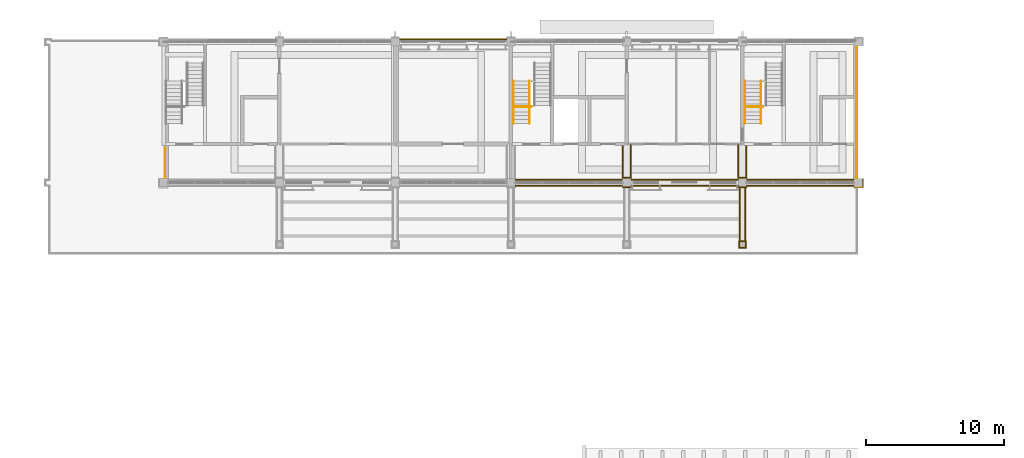
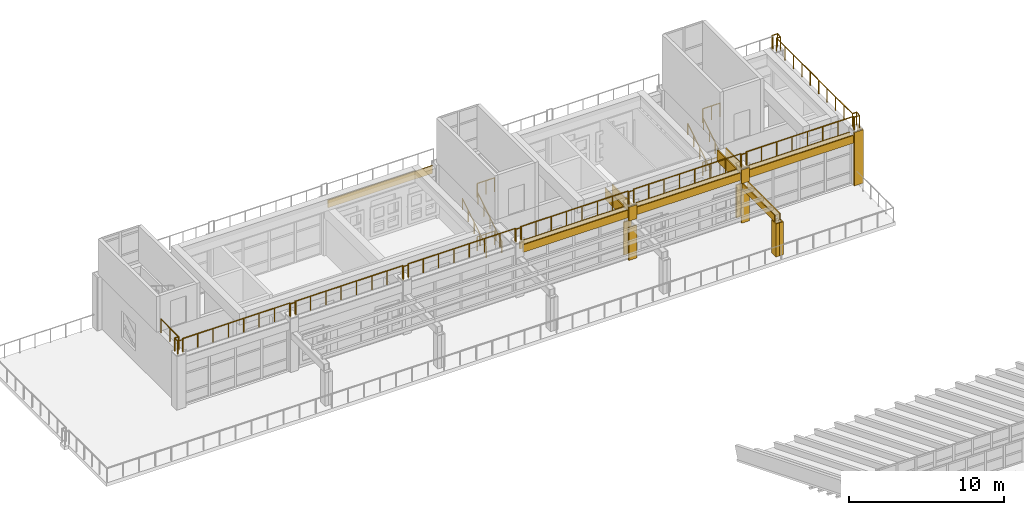
# One storey, part 98 of 105: 22 coverings, 9 railings.
"""IFC4 building model written with IfcOpenShell, lengths in metres."""

from ifc_helpers import new_model, si_unit, direction, frame, origin, origin_2d, place, context, subcontext, project, spatial, polyline, circle, outline, extrude, material, layer, layer_set, type_object, element, save


model = new_model("IFC4")

# Units and contexts
model_context = context("Model", 3, precision=1e-05, world=origin(), true_north=direction((0.0, 1.0)))
body_context = subcontext(model_context, "Body", "Model", "MODEL_VIEW")
ifc_project = project(units=[si_unit("LENGTHUNIT", "METRE"), si_unit("AREAUNIT", "SQUARE_METRE"), si_unit("VOLUMEUNIT", "CUBIC_METRE"), si_unit("PLANEANGLEUNIT", "RADIAN"), si_unit("MASSUNIT", "GRAM", prefix="KILO")], contexts=[model_context])

# Site, building, storey
site_placement = place(None, origin())
site = spatial("IfcSite", under=ifc_project, at=site_placement, CompositionType="ELEMENT")
building_placement = place(site_placement, origin())
building = spatial("IfcBuilding", under=site, at=building_placement, Name="Wasatch Bagh Community Centre", CompositionType="ELEMENT")
storey_placement = place(building_placement, frame((0.0, 0.0, 16.800048828125)))
storey = spatial("IfcBuildingStorey", under=building, at=storey_placement, Name="L04", CompositionType="ELEMENT", Elevation=16.800048828125)

# Coverings
ifc_material_1 = material(Name="Cast stone cladding", Category="masonry")
ifc_layer_1 = layer(ifc_material_1, 0.080078125)
ifc_layer_set_1 = layer_set([ifc_layer_1], Name="Cast stone cladding")
covering_type_1 = type_object("IfcCoveringType", Name="CL-B7 beam facing", PredefinedType="CLADDING", material=ifc_layer_set_1)
covering_1_placement = place(storey_placement, frame((0.0, 0.0, 3.300048828125)))
element("IfcCovering", 1, at=covering_1_placement, inside=storey, type_object=covering_type_1, Name="Beam facing", PredefinedType="CLADDING", context=body_context, shape_type="SweptSolid", body=[
    extrude(outline(polyline([(106.300048828125, 87.77490234375), (114.10009765625, 87.77490234375), (114.10009765625, 87.85498046875), (106.300048828125, 87.85498046875), (106.300048828125, 87.77490234375)])), origin(), (0.0, 0.0, 1.0), 0.599853515625),
])
covering_2_placement = place(storey_placement, frame((0.0, 0.0, 3.300048828125)))
element("IfcCovering", 2, at=covering_2_placement, inside=storey, type_object=covering_type_1, Name="Beam facing", PredefinedType="CLADDING", context=body_context, shape_type="SweptSolid", body=[
    extrude(outline(polyline([(106.300048828125, 87.425048828125), (114.10009765625, 87.425048828125), (114.10009765625, 87.344970703125), (106.300048828125, 87.344970703125), (106.300048828125, 87.425048828125)])), origin(), (0.0, 0.0, 1.0), 0.599853515625),
])
covering_3_placement = place(storey_placement, frame((0.0, 0.0, 3.300048828125)))
element("IfcCovering", 3, at=covering_3_placement, inside=storey, type_object=covering_type_1, Name="Beam facing", PredefinedType="CLADDING", context=body_context, shape_type="SweptSolid", body=[
    extrude(outline(polyline([(114.699951171875, 87.77490234375), (122.5, 87.77490234375), (122.5, 87.85498046875), (114.699951171875, 87.85498046875), (114.699951171875, 87.77490234375)])), origin(), (0.0, 0.0, 1.0), 0.599853515625),
])
covering_4_placement = place(storey_placement, frame((0.0, 0.0, 3.300048828125)))
element("IfcCovering", 4, at=covering_4_placement, inside=storey, type_object=covering_type_1, Name="Beam facing", PredefinedType="CLADDING", context=body_context, shape_type="SweptSolid", body=[
    extrude(outline(polyline([(114.699951171875, 87.425048828125), (122.5, 87.425048828125), (122.5, 87.344970703125), (114.699951171875, 87.344970703125), (114.699951171875, 87.425048828125)])), origin(), (0.0, 0.0, 1.0), 0.599853515625),
])
covering_5_placement = place(storey_placement, frame((0.0, 0.0, 3.300048828125)))
element("IfcCovering", 5, at=covering_5_placement, inside=storey, type_object=covering_type_1, Name="Beam facing", PredefinedType="CLADDING", context=body_context, shape_type="SweptSolid", body=[
    extrude(outline(polyline([(123.10009765625, 87.77490234375), (130.89990234375, 87.77490234375), (130.89990234375, 87.85498046875), (123.10009765625, 87.85498046875), (123.10009765625, 87.77490234375)])), origin(), (0.0, 0.0, 1.0), 0.599853515625),
])
covering_6_placement = place(storey_placement, frame((0.0, 0.0, 3.300048828125)))
element("IfcCovering", 6, at=covering_6_placement, inside=storey, type_object=covering_type_1, Name="Beam facing", PredefinedType="CLADDING", context=body_context, shape_type="SweptSolid", body=[
    extrude(outline(polyline([(123.10009765625, 87.425048828125), (130.89990234375, 87.425048828125), (130.89990234375, 87.344970703125), (123.10009765625, 87.344970703125), (123.10009765625, 87.425048828125)])), origin(), (0.0, 0.0, 1.0), 0.599853515625),
])
covering_7_placement = place(storey_placement, frame((0.0, 0.0, 3.300048828125)))
element("IfcCovering", 7, at=covering_7_placement, inside=storey, type_object=covering_type_1, Name="Beam facing", PredefinedType="CLADDING", context=body_context, shape_type="SweptSolid", body=[
    extrude(outline(polyline([(97.89990234375, 97.97509765625), (105.699951171875, 97.97509765625), (105.699951171875, 98.054931640625), (97.89990234375, 98.054931640625), (97.89990234375, 97.97509765625)])), origin(), (0.0, 0.0, 1.0), 0.599853515625),
])
covering_8_placement = place(storey_placement, frame((0.0, 0.0, 3.0)))
element("IfcCovering", 8, at=covering_8_placement, inside=storey, type_object=covering_type_1, Name="Beam facing", PredefinedType="CLADDING", context=body_context, shape_type="SweptSolid", body=[
    extrude(outline(polyline([(114.14990234375, 87.89990234375), (114.14990234375, 90.264892578125), (114.070068359375, 90.264892578125), (114.070068359375, 87.89990234375), (114.14990234375, 87.89990234375)])), origin(), (0.0, 0.0, 1.0), 0.89990234375),
])
covering_9_placement = place(storey_placement, frame((0.0, 0.0, 3.0)))
element("IfcCovering", 9, at=covering_9_placement, inside=storey, type_object=covering_type_1, Name="Beam facing", PredefinedType="CLADDING", context=body_context, shape_type="SweptSolid", body=[
    extrude(outline(polyline([(114.64990234375, 87.89990234375), (114.64990234375, 90.340087890625), (114.72998046875, 90.340087890625), (114.72998046875, 87.89990234375), (114.64990234375, 87.89990234375)])), origin(), (0.0, 0.0, 1.0), 0.89990234375),
])
covering_10_placement = place(storey_placement, frame((0.0, 0.0, 3.0)))
element("IfcCovering", 10, at=covering_10_placement, inside=storey, type_object=covering_type_1, Name="Beam facing", PredefinedType="CLADDING", context=body_context, shape_type="SweptSolid", body=[
    extrude(outline(polyline([(122.550048828125, 87.89990234375), (122.550048828125, 90.340087890625), (122.469970703125, 90.340087890625), (122.469970703125, 87.89990234375), (122.550048828125, 87.89990234375)])), origin(), (0.0, 0.0, 1.0), 0.89990234375),
])
covering_11_placement = place(storey_placement, frame((0.0, 0.0, 3.0)))
element("IfcCovering", 11, at=covering_11_placement, inside=storey, type_object=covering_type_1, Name="Beam facing", PredefinedType="CLADDING", context=body_context, shape_type="SweptSolid", body=[
    extrude(outline(polyline([(123.050048828125, 87.89990234375), (123.050048828125, 90.264892578125), (123.1298828125, 90.264892578125), (123.1298828125, 87.89990234375), (123.050048828125, 87.89990234375)])), origin(), (0.0, 0.0, 1.0), 0.89990234375),
])
covering_12_placement = place(storey_placement, frame((0.0, 0.0, 2.599853515625)))
element("IfcCovering", 12, at=covering_12_placement, inside=storey, type_object=covering_type_1, Name="Beam facing", PredefinedType="CLADDING", context=body_context, shape_type="SweptSolid", body=[
    extrude(outline(polyline([(122.949951171875, 87.300048828125), (122.949951171875, 83.10009765625), (123.030029296875, 83.10009765625), (123.030029296875, 87.300048828125), (122.949951171875, 87.300048828125)])), origin(), (0.0, 0.0, 1.0), 0.5),
])
covering_13_placement = place(storey_placement, frame((0.0, 0.0, 2.599853515625)))
element("IfcCovering", 13, at=covering_13_placement, inside=storey, type_object=covering_type_1, Name="Beam facing", PredefinedType="CLADDING", context=body_context, shape_type="SweptSolid", body=[
    extrude(outline(polyline([(122.64990234375, 87.300048828125), (122.64990234375, 83.10009765625), (122.570068359375, 83.10009765625), (122.570068359375, 87.300048828125), (122.64990234375, 87.300048828125)])), origin(), (0.0, 0.0, 1.0), 0.5),
])
ifc_layer_2 = layer(ifc_material_1, 0.080078125)
ifc_layer_set_2 = layer_set([ifc_layer_2], Name="Cast stone cladding")
covering_type_2 = type_object("IfcCoveringType", Name="CL-C1 column facing", PredefinedType="CLADDING", material=ifc_layer_set_2)
covering_14_placement = place(storey_placement, origin())
element("IfcCovering", 14, at=covering_14_placement, inside=storey, type_object=covering_type_2, Name="Column facing", PredefinedType="CLADDING", context=body_context, shape_type="SweptSolid", body=[
    extrude(outline(polyline([(114.10009765625, 87.89990234375), (114.10009765625, 87.97998046875), (114.699951171875, 87.97998046875), (114.699951171875, 87.89990234375), (114.10009765625, 87.89990234375)])), origin(), (0.0, 0.0, 1.0), 2.599853515625),
])
covering_15_placement = place(storey_placement, origin())
element("IfcCovering", 15, at=covering_15_placement, inside=storey, type_object=covering_type_2, Name="Column facing", PredefinedType="CLADDING", context=body_context, shape_type="SweptSolid", body=[
    extrude(outline(polyline([(114.699951171875, 87.300048828125), (114.699951171875, 87.219970703125), (114.10009765625, 87.219970703125), (114.10009765625, 87.300048828125), (114.699951171875, 87.300048828125)])), origin(), (0.0, 0.0, 1.0), 2.599853515625),
])
covering_16_placement = place(storey_placement, frame((0.0, 0.0, 3.099853515625)))
element("IfcCovering", 16, at=covering_16_placement, inside=storey, type_object=covering_type_2, Name="Column facing", PredefinedType="CLADDING", context=body_context, shape_type="SweptSolid", body=[
    extrude(outline(polyline([(114.10009765625, 87.300048828125), (114.699951171875, 87.300048828125), (114.699951171875, 87.219970703125), (114.10009765625, 87.219970703125), (114.10009765625, 87.300048828125)])), origin(), (0.0, 0.0, 1.0), 1.10009765625),
])
covering_17_placement = place(storey_placement, origin())
element("IfcCovering", 17, at=covering_17_placement, inside=storey, type_object=covering_type_2, Name="Column facing", PredefinedType="CLADDING", context=body_context, shape_type="SweptSolid", body=[
    extrude(outline(polyline([(122.5, 87.89990234375), (122.5, 87.97998046875), (123.10009765625, 87.97998046875), (123.10009765625, 87.89990234375), (122.5, 87.89990234375)])), origin(), (0.0, 0.0, 1.0), 2.599853515625),
])
covering_18_placement = place(storey_placement, origin())
element("IfcCovering", 18, at=covering_18_placement, inside=storey, type_object=covering_type_2, Name="Column facing", PredefinedType="CLADDING", context=body_context, shape_type="SweptSolid", body=[
    extrude(outline(polyline([(123.10009765625, 87.300048828125), (123.10009765625, 87.219970703125), (122.5, 87.219970703125), (122.5, 87.300048828125), (123.10009765625, 87.300048828125)])), origin(), (0.0, 0.0, 1.0), 2.599853515625),
])
covering_19_placement = place(storey_placement, frame((0.0, 0.0, 3.099853515625)))
element("IfcCovering", 19, at=covering_19_placement, inside=storey, type_object=covering_type_2, Name="Column facing", PredefinedType="CLADDING", context=body_context, shape_type="SweptSolid", body=[
    extrude(outline(polyline([(122.5, 87.300048828125), (123.10009765625, 87.300048828125), (123.10009765625, 87.219970703125), (122.5, 87.219970703125), (122.5, 87.300048828125)])), origin(), (0.0, 0.0, 1.0), 1.10009765625),
])
covering_20_placement = place(storey_placement, origin())
element("IfcCovering", 20, at=covering_20_placement, inside=storey, type_object=covering_type_2, Name="Column facing", PredefinedType="CLADDING", context=body_context, shape_type="SweptSolid", body=[
    extrude(outline(polyline([(131.5, 87.300048828125), (131.5, 87.89990234375), (131.580078125, 87.89990234375), (131.580078125, 87.219970703125), (130.89990234375, 87.219970703125), (130.89990234375, 87.300048828125), (131.5, 87.300048828125)])), origin(), (0.0, 0.0, 1.0), 4.199951171875),
])
covering_21_placement = place(storey_placement, origin())
element("IfcCovering", 21, at=covering_21_placement, inside=storey, type_object=covering_type_2, Name="Column facing", PredefinedType="CLADDING", context=body_context, shape_type="SweptSolid", body=[
    extrude(outline(polyline([(122.52001953125, 83.300048828125), (122.52001953125, 83.3798828125), (122.800048828125, 83.3798828125), (122.800048828125, 83.300048828125), (122.60009765625, 83.300048828125), (122.60009765625, 82.89990234375), (122.800048828125, 82.89990234375), (122.800048828125, 82.820068359375), (122.52001953125, 82.820068359375), (122.52001953125, 82.89990234375), (122.52001953125, 83.300048828125)])), origin(), (0.0, 0.0, 1.0), 2.599853515625),
])
covering_22_placement = place(storey_placement, origin())
element("IfcCovering", 22, at=covering_22_placement, inside=storey, type_object=covering_type_2, Name="Column facing", PredefinedType="CLADDING", context=body_context, shape_type="SweptSolid", body=[
    extrude(outline(polyline([(123.080078125, 83.3798828125), (123.080078125, 82.820068359375), (122.800048828125, 82.820068359375), (122.800048828125, 82.89990234375), (123.0, 82.89990234375), (123.0, 83.300048828125), (122.800048828125, 83.300048828125), (122.800048828125, 83.3798828125), (123.080078125, 83.3798828125)])), origin(), (0.0, 0.0, 1.0), 2.599853515625),
])

# Railings
ifc_material_2 = material(Name="Painted steel with jali infill", Category="steel")
railing_type_1 = type_object("IfcRailingType", Name="LW guard 1100", PredefinedType="GUARDRAIL", material=ifc_material_2)
railing_placement = place(storey_placement, frame((131.0, 97.89990234375, 4.199951171875)))
element("IfcRailing", 23, at=railing_placement, inside=storey, type_object=railing_type_1, Name="Terrace guard T5", PredefinedType="GUARDRAIL", context=body_context, shape_type="SweptSolid", body=[
    extrude(circle(Radius=0.02490234375, at=origin_2d()), frame((0.0, 0.0, 1.0751953125), z_axis=(0.0, 1.0, 0.0), x_axis=(-1.0, 0.0, 0.0)), (0.0, 0.0, 1.0), 0.10009765625),
    extrude(circle(Radius=0.02490234375, at=origin_2d()), frame((0.0, 0.10009765625, 1.0751953125), z_axis=(1.0, 0.0, 0.0), x_axis=(0.0, 1.0, 0.0)), (0.0, 0.0, 1.0), 0.39990234375),
    extrude(circle(Radius=0.02490234375, at=origin_2d()), frame((0.39990234375, 0.10009765625, 1.0751953125), z_axis=(0.0, -1.0, 0.0), x_axis=(1.0, 0.0, 0.0)), (0.0, 0.0, 1.0), 0.39990234375),
    extrude(circle(Radius=0.02490234375, at=origin_2d()), frame((0.39990234375, -0.2998046875, 1.0751953125), z_axis=(-1.0, 0.0, 0.0), x_axis=(0.0, -1.0, 0.0)), (0.0, 0.0, 1.0), 0.2998046875),
    extrude(circle(Radius=0.02490234375, at=origin_2d()), frame((0.10009765625, -0.2998046875, 1.0751953125), z_axis=(0.0, -1.0, 0.0), x_axis=(1.0, 0.0, 0.0)), (0.0, 0.0, 1.0), 9.800048828125),
    extrude(circle(Radius=0.02490234375, at=origin_2d()), frame((0.10009765625, -10.099853515625, 1.0751953125), z_axis=(1.0, 0.0, 0.0), x_axis=(0.0, 1.0, 0.0)), (0.0, 0.0, 1.0), 0.2998046875),
    extrude(circle(Radius=0.02490234375, at=origin_2d()), frame((0.39990234375, -10.099853515625, 1.0751953125), z_axis=(0.0, -1.0, 0.0), x_axis=(1.0, 0.0, 0.0)), (0.0, 0.0, 1.0), 0.400146484375),
    extrude(circle(Radius=0.02490234375, at=origin_2d()), frame((0.39990234375, -10.5, 1.0751953125), z_axis=(-1.0, 0.0, 0.0), x_axis=(0.0, -1.0, 0.0)), (0.0, 0.0, 1.0), 0.39990234375),
    extrude(circle(Radius=0.02490234375, at=origin_2d()), frame((0.0, -10.5, 1.0751953125), z_axis=(0.0, 1.0, 0.0), x_axis=(-1.0, 0.0, 0.0)), (0.0, 0.0, 1.0), 0.10009765625),
    extrude(circle(Radius=0.02490234375, at=origin_2d()), frame((0.0, -10.39990234375, 1.0751953125), z_axis=(-1.0, 0.0, 0.0), x_axis=(0.0, -1.0, 0.0)), (0.0, 0.0, 1.0), 8.0),
    extrude(circle(Radius=0.02490234375, at=origin_2d()), frame((-8.0, -10.39990234375, 1.0751953125), z_axis=(0.0, -1.0, 0.0), x_axis=(1.0, 0.0, 0.0)), (0.0, 0.0, 1.0), 0.10009765625),
    extrude(circle(Radius=0.02490234375, at=origin_2d()), frame((-8.0, -10.5, 1.0751953125), z_axis=(-1.0, 0.0, 0.0), x_axis=(0.0, -1.0, 0.0)), (0.0, 0.0, 1.0), 0.39990234375),
    extrude(circle(Radius=0.02490234375, at=origin_2d()), frame((-8.39990234375, -10.5, 1.0751953125), z_axis=(0.0, 1.0, 0.0), x_axis=(-1.0, 0.0, 0.0)), (0.0, 0.0, 1.0), 0.10009765625),
    extrude(circle(Radius=0.02490234375, at=origin_2d()), frame((-8.39990234375, -10.39990234375, 1.0751953125), z_axis=(-1.0, 0.0, 0.0), x_axis=(0.0, -1.0, 0.0)), (0.0, 0.0, 1.0), 8.0),
    extrude(circle(Radius=0.02490234375, at=origin_2d()), frame((-16.39990234375, -10.39990234375, 1.0751953125), z_axis=(0.0, -1.0, 0.0), x_axis=(1.0, 0.0, 0.0)), (0.0, 0.0, 1.0), 0.10009765625),
    extrude(circle(Radius=0.02490234375, at=origin_2d()), frame((-16.39990234375, -10.5, 1.0751953125), z_axis=(-1.0, 0.0, 0.0), x_axis=(0.0, -1.0, 0.0)), (0.0, 0.0, 1.0), 0.400146484375),
    extrude(circle(Radius=0.02490234375, at=origin_2d()), frame((-16.800048828125, -10.5, 1.0751953125), z_axis=(0.0, 1.0, 0.0), x_axis=(-1.0, 0.0, 0.0)), (0.0, 0.0, 1.0), 0.10009765625),
    extrude(circle(Radius=0.02490234375, at=origin_2d()), frame((-16.800048828125, -10.39990234375, 1.0751953125), z_axis=(-1.0, 0.0, 0.0), x_axis=(0.0, -1.0, 0.0)), (0.0, 0.0, 1.0), 8.0),
    extrude(circle(Radius=0.02490234375, at=origin_2d()), frame((-24.800048828125, -10.39990234375, 1.0751953125), z_axis=(0.0, -1.0, 0.0), x_axis=(1.0, 0.0, 0.0)), (0.0, 0.0, 1.0), 0.10009765625),
    extrude(circle(Radius=0.02490234375, at=origin_2d()), frame((-24.800048828125, -10.5, 1.0751953125), z_axis=(-1.0, 0.0, 0.0), x_axis=(0.0, -1.0, 0.0)), (0.0, 0.0, 1.0), 0.39990234375),
    extrude(circle(Radius=0.02490234375, at=origin_2d()), frame((-25.199951171875, -10.5, 1.0751953125), z_axis=(0.0, 1.0, 0.0), x_axis=(-1.0, 0.0, 0.0)), (0.0, 0.0, 1.0), 0.10009765625),
    extrude(circle(Radius=0.02490234375, at=origin_2d()), frame((-25.199951171875, -10.39990234375, 1.0751953125), z_axis=(-1.0, 0.0, 0.0), x_axis=(0.0, -1.0, 0.0)), (0.0, 0.0, 1.0), 8.0),
    extrude(circle(Radius=0.02490234375, at=origin_2d()), frame((-33.199951171875, -10.39990234375, 1.0751953125), z_axis=(0.0, -1.0, 0.0), x_axis=(1.0, 0.0, 0.0)), (0.0, 0.0, 1.0), 0.10009765625),
    extrude(circle(Radius=0.02490234375, at=origin_2d()), frame((-33.199951171875, -10.5, 1.0751953125), z_axis=(-1.0, 0.0, 0.0), x_axis=(0.0, -1.0, 0.0)), (0.0, 0.0, 1.0), 0.400146484375),
    extrude(circle(Radius=0.02490234375, at=origin_2d()), frame((-33.60009765625, -10.5, 1.0751953125), z_axis=(0.0, 1.0, 0.0), x_axis=(-1.0, 0.0, 0.0)), (0.0, 0.0, 1.0), 0.10009765625),
    extrude(circle(Radius=0.02490234375, at=origin_2d()), frame((-33.60009765625, -10.39990234375, 1.0751953125), z_axis=(-1.0, 0.0, 0.0), x_axis=(0.0, -1.0, 0.0)), (0.0, 0.0, 1.0), 8.0),
    extrude(circle(Radius=0.02490234375, at=origin_2d()), frame((-41.60009765625, -10.39990234375, 1.0751953125), z_axis=(0.0, -1.0, 0.0), x_axis=(1.0, 0.0, 0.0)), (0.0, 0.0, 1.0), 0.10009765625),
    extrude(circle(Radius=0.02490234375, at=origin_2d()), frame((-41.60009765625, -10.5, 1.0751953125), z_axis=(-1.0, 0.0, 0.0), x_axis=(0.0, -1.0, 0.0)), (0.0, 0.0, 1.0), 0.39990234375),
    extrude(circle(Radius=0.02490234375, at=origin_2d()), frame((-42.0, -10.5, 1.0751953125), z_axis=(0.0, 1.0, 0.0), x_axis=(-1.0, 0.0, 0.0)), (0.0, 0.0, 1.0), 0.10009765625),
    extrude(circle(Radius=0.02490234375, at=origin_2d()), frame((-42.0, -10.39990234375, 1.0751953125), z_axis=(-1.0, 0.0, 0.0), x_axis=(0.0, -1.0, 0.0)), (0.0, 0.0, 1.0), 8.0),
    extrude(circle(Radius=0.02490234375, at=origin_2d()), frame((-50.0, -10.39990234375, 1.0751953125), z_axis=(0.0, -1.0, 0.0), x_axis=(1.0, 0.0, 0.0)), (0.0, 0.0, 1.0), 0.10009765625),
    extrude(circle(Radius=0.02490234375, at=origin_2d()), frame((-50.0, -10.5, 1.0751953125), z_axis=(-1.0, 0.0, 0.0), x_axis=(0.0, -1.0, 0.0)), (0.0, 0.0, 1.0), 0.39990234375),
    extrude(circle(Radius=0.02490234375, at=origin_2d()), frame((-50.39990234375, -10.5, 1.0751953125), z_axis=(0.0, 1.0, 0.0), x_axis=(-1.0, 0.0, 0.0)), (0.0, 0.0, 1.0), 0.400146484375),
    extrude(circle(Radius=0.02490234375, at=origin_2d()), frame((-50.39990234375, -10.099853515625, 1.0751953125), z_axis=(1.0, 0.0, 0.0), x_axis=(0.0, 1.0, 0.0)), (0.0, 0.0, 1.0), 0.2998046875),
    extrude(circle(Radius=0.02490234375, at=origin_2d()), frame((-50.10009765625, -10.099853515625, 1.0751953125), z_axis=(0.0, 1.0, 0.0), x_axis=(-1.0, 0.0, 0.0)), (0.0, 0.0, 1.0), 2.300048828125),
    extrude(circle(Radius=0.02001953125, at=origin_2d()), origin(), (0.0, 0.0, 1.0), 1.050048828125),
    extrude(circle(Radius=0.02001953125, at=origin_2d()), frame((0.0, 0.10009765625, 0.0)), (0.0, 0.0, 1.0), 1.050048828125),
    extrude(circle(Radius=0.02001953125, at=origin_2d()), frame((0.39990234375, 0.10009765625, 0.0)), (0.0, 0.0, 1.0), 1.050048828125),
    extrude(circle(Radius=0.02001953125, at=origin_2d()), frame((0.39990234375, -0.2998046875, 0.0)), (0.0, 0.0, 1.0), 1.050048828125),
    extrude(circle(Radius=0.02001953125, at=origin_2d()), frame((0.10009765625, -0.2998046875, 0.0)), (0.0, 0.0, 1.0), 1.050048828125),
    extrude(circle(Radius=0.02001953125, at=origin_2d()), frame((0.10009765625, -1.388671875, 0.0)), (0.0, 0.0, 1.0), 1.050048828125),
    extrude(circle(Radius=0.02001953125, at=origin_2d()), frame((0.10009765625, -2.4775390625, 0.0)), (0.0, 0.0, 1.0), 1.050048828125),
    extrude(circle(Radius=0.02001953125, at=origin_2d()), frame((0.10009765625, -3.56640625, 0.0)), (0.0, 0.0, 1.0), 1.050048828125),
    extrude(circle(Radius=0.02001953125, at=origin_2d()), frame((0.10009765625, -4.6552734375, 0.0)), (0.0, 0.0, 1.0), 1.050048828125),
    extrude(circle(Radius=0.02001953125, at=origin_2d()), frame((0.10009765625, -5.744384765625, 0.0)), (0.0, 0.0, 1.0), 1.050048828125),
    extrude(circle(Radius=0.02001953125, at=origin_2d()), frame((0.10009765625, -6.833251953125, 0.0)), (0.0, 0.0, 1.0), 1.050048828125),
    extrude(circle(Radius=0.02001953125, at=origin_2d()), frame((0.10009765625, -7.922119140625, 0.0)), (0.0, 0.0, 1.0), 1.050048828125),
    extrude(circle(Radius=0.02001953125, at=origin_2d()), frame((0.10009765625, -9.010986328125, 0.0)), (0.0, 0.0, 1.0), 1.050048828125),
    extrude(circle(Radius=0.02001953125, at=origin_2d()), frame((0.10009765625, -10.099853515625, 0.0)), (0.0, 0.0, 1.0), 1.050048828125),
    extrude(circle(Radius=0.02001953125, at=origin_2d()), frame((0.39990234375, -10.099853515625, 0.0)), (0.0, 0.0, 1.0), 1.050048828125),
    extrude(circle(Radius=0.02001953125, at=origin_2d()), frame((0.39990234375, -10.5, 0.0)), (0.0, 0.0, 1.0), 1.050048828125),
    extrude(circle(Radius=0.02001953125, at=origin_2d()), frame((0.0, -10.5, 0.0)), (0.0, 0.0, 1.0), 1.050048828125),
    extrude(circle(Radius=0.02001953125, at=origin_2d()), frame((0.0, -10.39990234375, 0.0)), (0.0, 0.0, 1.0), 1.050048828125),
    extrude(circle(Radius=0.02001953125, at=origin_2d()), frame((-1.142822265625, -10.39990234375, 0.0)), (0.0, 0.0, 1.0), 1.050048828125),
    extrude(circle(Radius=0.02001953125, at=origin_2d()), frame((-2.28564453125, -10.39990234375, 0.0)), (0.0, 0.0, 1.0), 1.050048828125),
    extrude(circle(Radius=0.02001953125, at=origin_2d()), frame((-3.428466796875, -10.39990234375, 0.0)), (0.0, 0.0, 1.0), 1.050048828125),
    extrude(circle(Radius=0.02001953125, at=origin_2d()), frame((-4.571533203125, -10.39990234375, 0.0)), (0.0, 0.0, 1.0), 1.050048828125),
    extrude(circle(Radius=0.02001953125, at=origin_2d()), frame((-5.71435546875, -10.39990234375, 0.0)), (0.0, 0.0, 1.0), 1.050048828125),
    extrude(circle(Radius=0.02001953125, at=origin_2d()), frame((-6.857177734375, -10.39990234375, 0.0)), (0.0, 0.0, 1.0), 1.050048828125),
    extrude(circle(Radius=0.02001953125, at=origin_2d()), frame((-8.0, -10.39990234375, 0.0)), (0.0, 0.0, 1.0), 1.050048828125),
    extrude(circle(Radius=0.02001953125, at=origin_2d()), frame((-8.0, -10.5, 0.0)), (0.0, 0.0, 1.0), 1.050048828125),
    extrude(circle(Radius=0.02001953125, at=origin_2d()), frame((-8.39990234375, -10.5, 0.0)), (0.0, 0.0, 1.0), 1.050048828125),
    extrude(circle(Radius=0.02001953125, at=origin_2d()), frame((-8.39990234375, -10.39990234375, 0.0)), (0.0, 0.0, 1.0), 1.050048828125),
    extrude(circle(Radius=0.02001953125, at=origin_2d()), frame((-9.542724609375, -10.39990234375, 0.0)), (0.0, 0.0, 1.0), 1.050048828125),
    extrude(circle(Radius=0.02001953125, at=origin_2d()), frame((-10.685546875, -10.39990234375, 0.0)), (0.0, 0.0, 1.0), 1.050048828125),
    extrude(circle(Radius=0.02001953125, at=origin_2d()), frame((-11.828369140625, -10.39990234375, 0.0)), (0.0, 0.0, 1.0), 1.050048828125),
    extrude(circle(Radius=0.02001953125, at=origin_2d()), frame((-12.971435546875, -10.39990234375, 0.0)), (0.0, 0.0, 1.0), 1.050048828125),
    extrude(circle(Radius=0.02001953125, at=origin_2d()), frame((-14.1142578125, -10.39990234375, 0.0)), (0.0, 0.0, 1.0), 1.050048828125),
    extrude(circle(Radius=0.02001953125, at=origin_2d()), frame((-15.257080078125, -10.39990234375, 0.0)), (0.0, 0.0, 1.0), 1.050048828125),
    extrude(circle(Radius=0.02001953125, at=origin_2d()), frame((-16.39990234375, -10.39990234375, 0.0)), (0.0, 0.0, 1.0), 1.050048828125),
    extrude(circle(Radius=0.02001953125, at=origin_2d()), frame((-16.39990234375, -10.5, 0.0)), (0.0, 0.0, 1.0), 1.050048828125),
    extrude(circle(Radius=0.02001953125, at=origin_2d()), frame((-16.800048828125, -10.5, 0.0)), (0.0, 0.0, 1.0), 1.050048828125),
    extrude(circle(Radius=0.02001953125, at=origin_2d()), frame((-16.800048828125, -10.39990234375, 0.0)), (0.0, 0.0, 1.0), 1.050048828125),
    extrude(circle(Radius=0.02001953125, at=origin_2d()), frame((-17.94287109375, -10.39990234375, 0.0)), (0.0, 0.0, 1.0), 1.050048828125),
    extrude(circle(Radius=0.02001953125, at=origin_2d()), frame((-19.085693359375, -10.39990234375, 0.0)), (0.0, 0.0, 1.0), 1.050048828125),
    extrude(circle(Radius=0.02001953125, at=origin_2d()), frame((-20.228515625, -10.39990234375, 0.0)), (0.0, 0.0, 1.0), 1.050048828125),
    extrude(circle(Radius=0.02001953125, at=origin_2d()), frame((-21.37158203125, -10.39990234375, 0.0)), (0.0, 0.0, 1.0), 1.050048828125),
    extrude(circle(Radius=0.02001953125, at=origin_2d()), frame((-22.514404296875, -10.39990234375, 0.0)), (0.0, 0.0, 1.0), 1.050048828125),
    extrude(circle(Radius=0.02001953125, at=origin_2d()), frame((-23.6572265625, -10.39990234375, 0.0)), (0.0, 0.0, 1.0), 1.050048828125),
    extrude(circle(Radius=0.02001953125, at=origin_2d()), frame((-24.800048828125, -10.39990234375, 0.0)), (0.0, 0.0, 1.0), 1.050048828125),
    extrude(circle(Radius=0.02001953125, at=origin_2d()), frame((-24.800048828125, -10.5, 0.0)), (0.0, 0.0, 1.0), 1.050048828125),
    extrude(circle(Radius=0.02001953125, at=origin_2d()), frame((-25.199951171875, -10.5, 0.0)), (0.0, 0.0, 1.0), 1.050048828125),
    extrude(circle(Radius=0.02001953125, at=origin_2d()), frame((-25.199951171875, -10.39990234375, 0.0)), (0.0, 0.0, 1.0), 1.050048828125),
    extrude(circle(Radius=0.02001953125, at=origin_2d()), frame((-26.3427734375, -10.39990234375, 0.0)), (0.0, 0.0, 1.0), 1.050048828125),
    extrude(circle(Radius=0.02001953125, at=origin_2d()), frame((-27.485595703125, -10.39990234375, 0.0)), (0.0, 0.0, 1.0), 1.050048828125),
    extrude(circle(Radius=0.02001953125, at=origin_2d()), frame((-28.62841796875, -10.39990234375, 0.0)), (0.0, 0.0, 1.0), 1.050048828125),
    extrude(circle(Radius=0.02001953125, at=origin_2d()), frame((-29.771484375, -10.39990234375, 0.0)), (0.0, 0.0, 1.0), 1.050048828125),
    extrude(circle(Radius=0.02001953125, at=origin_2d()), frame((-30.914306640625, -10.39990234375, 0.0)), (0.0, 0.0, 1.0), 1.050048828125),
    extrude(circle(Radius=0.02001953125, at=origin_2d()), frame((-32.05712890625, -10.39990234375, 0.0)), (0.0, 0.0, 1.0), 1.050048828125),
    extrude(circle(Radius=0.02001953125, at=origin_2d()), frame((-33.199951171875, -10.39990234375, 0.0)), (0.0, 0.0, 1.0), 1.050048828125),
    extrude(circle(Radius=0.02001953125, at=origin_2d()), frame((-33.199951171875, -10.5, 0.0)), (0.0, 0.0, 1.0), 1.050048828125),
    extrude(circle(Radius=0.02001953125, at=origin_2d()), frame((-33.60009765625, -10.5, 0.0)), (0.0, 0.0, 1.0), 1.050048828125),
    extrude(circle(Radius=0.02001953125, at=origin_2d()), frame((-33.60009765625, -10.39990234375, 0.0)), (0.0, 0.0, 1.0), 1.050048828125),
    extrude(circle(Radius=0.02001953125, at=origin_2d()), frame((-34.742919921875, -10.39990234375, 0.0)), (0.0, 0.0, 1.0), 1.050048828125),
    extrude(circle(Radius=0.02001953125, at=origin_2d()), frame((-35.8857421875, -10.39990234375, 0.0)), (0.0, 0.0, 1.0), 1.050048828125),
    extrude(circle(Radius=0.02001953125, at=origin_2d()), frame((-37.028564453125, -10.39990234375, 0.0)), (0.0, 0.0, 1.0), 1.050048828125),
    extrude(circle(Radius=0.02001953125, at=origin_2d()), frame((-38.171630859375, -10.39990234375, 0.0)), (0.0, 0.0, 1.0), 1.050048828125),
    extrude(circle(Radius=0.02001953125, at=origin_2d()), frame((-39.314453125, -10.39990234375, 0.0)), (0.0, 0.0, 1.0), 1.050048828125),
    extrude(circle(Radius=0.02001953125, at=origin_2d()), frame((-40.457275390625, -10.39990234375, 0.0)), (0.0, 0.0, 1.0), 1.050048828125),
    extrude(circle(Radius=0.02001953125, at=origin_2d()), frame((-41.60009765625, -10.39990234375, 0.0)), (0.0, 0.0, 1.0), 1.050048828125),
    extrude(circle(Radius=0.02001953125, at=origin_2d()), frame((-41.60009765625, -10.5, 0.0)), (0.0, 0.0, 1.0), 1.050048828125),
    extrude(circle(Radius=0.02001953125, at=origin_2d()), frame((-42.0, -10.5, 0.0)), (0.0, 0.0, 1.0), 1.050048828125),
    extrude(circle(Radius=0.02001953125, at=origin_2d()), frame((-42.0, -10.39990234375, 0.0)), (0.0, 0.0, 1.0), 1.050048828125),
    extrude(circle(Radius=0.02001953125, at=origin_2d()), frame((-43.142822265625, -10.39990234375, 0.0)), (0.0, 0.0, 1.0), 1.050048828125),
    extrude(circle(Radius=0.02001953125, at=origin_2d()), frame((-44.28564453125, -10.39990234375, 0.0)), (0.0, 0.0, 1.0), 1.050048828125),
    extrude(circle(Radius=0.02001953125, at=origin_2d()), frame((-45.428466796875, -10.39990234375, 0.0)), (0.0, 0.0, 1.0), 1.050048828125),
    extrude(circle(Radius=0.02001953125, at=origin_2d()), frame((-46.571533203125, -10.39990234375, 0.0)), (0.0, 0.0, 1.0), 1.050048828125),
    extrude(circle(Radius=0.02001953125, at=origin_2d()), frame((-47.71435546875, -10.39990234375, 0.0)), (0.0, 0.0, 1.0), 1.050048828125),
    extrude(circle(Radius=0.02001953125, at=origin_2d()), frame((-48.857177734375, -10.39990234375, 0.0)), (0.0, 0.0, 1.0), 1.050048828125),
    extrude(circle(Radius=0.02001953125, at=origin_2d()), frame((-50.0, -10.39990234375, 0.0)), (0.0, 0.0, 1.0), 1.050048828125),
    extrude(circle(Radius=0.02001953125, at=origin_2d()), frame((-50.0, -10.5, 0.0)), (0.0, 0.0, 1.0), 1.050048828125),
    extrude(circle(Radius=0.02001953125, at=origin_2d()), frame((-50.39990234375, -10.5, 0.0)), (0.0, 0.0, 1.0), 1.050048828125),
    extrude(circle(Radius=0.02001953125, at=origin_2d()), frame((-50.39990234375, -10.099853515625, 0.0)), (0.0, 0.0, 1.0), 1.050048828125),
    extrude(circle(Radius=0.02001953125, at=origin_2d()), frame((-50.10009765625, -10.099853515625, 0.0)), (0.0, 0.0, 1.0), 1.050048828125),
    extrude(circle(Radius=0.02001953125, at=origin_2d()), frame((-50.10009765625, -8.94970703125, 0.0)), (0.0, 0.0, 1.0), 1.050048828125),
    extrude(circle(Radius=0.02001953125, at=origin_2d()), frame((-50.10009765625, -7.7998046875, 0.0)), (0.0, 0.0, 1.0), 1.050048828125),
])
for number, where, name in (
    (24, (106.199951171875, 93.10009765625, 0.0), "Guard C2"),
    (25, (106.199951171875, 93.10009765625, 4.199951171875), "Guard C2"),
    (26, (123.0, 93.10009765625, 0.0), "Guard C3"),
    (27, (123.0, 93.10009765625, 4.199951171875), "Guard C3"),
):
    element("IfcRailing", number, at=place(storey_placement, frame(where)), inside=storey, type_object=railing_type_1, Name=name, PredefinedType="GUARDRAIL", context=body_context, shape_type="SweptSolid", body=[
        extrude(circle(Radius=0.02490234375, at=origin_2d()), frame((0.0, 0.0, 1.0751953125), z_axis=(1.0, 0.0, 0.0), x_axis=(0.0, 1.0, 0.0)), (0.0, 0.0, 1.0), 1.300048828125),
        extrude(circle(Radius=0.02001953125, at=origin_2d()), origin(), (0.0, 0.0, 1.0), 1.050048828125),
        extrude(circle(Radius=0.02001953125, at=origin_2d()), frame((0.64990234375, 0.0, 0.0)), (0.0, 0.0, 1.0), 1.050048828125),
        extrude(circle(Radius=0.02001953125, at=origin_2d()), frame((1.300048828125, 0.0, 0.0)), (0.0, 0.0, 1.0), 1.050048828125),
    ])
ifc_material_3 = material(Name="Painted steel tube", Category="steel")
railing_type_2 = type_object("IfcRailingType", Name="LW stair handrail 900", PredefinedType="HANDRAIL", material=ifc_material_3)
for number, where, name in (
    (28, (106.175048828125, 91.89990234375, 0.175048828125), "Handrail C2"),
    (29, (107.3349609375, 91.89990234375, 0.175048828125), "Handrail C2"),
    (30, (122.97509765625, 91.89990234375, 0.175048828125), "Handrail C3"),
    (31, (124.135009765625, 91.89990234375, 0.175048828125), "Handrail C3"),
):
    element("IfcRailing", number, at=place(storey_placement, frame(where)), inside=storey, type_object=railing_type_2, Name=name, PredefinedType="HANDRAIL", context=body_context, shape_type="SweptSolid", body=[
        extrude(circle(Radius=0.0224609375, at=origin_2d()), frame((0.0, 0.0, 0.87744140625), z_axis=(0.0, 0.848028513186, 0.529950602248), x_axis=(-1.0, 0.0, 0.0)), (0.0, 0.0, 1.0), 3.632080078125),
        extrude(circle(Radius=0.02001953125, at=origin_2d()), origin(), (0.0, 0.0, 1.0), 0.85498046875),
        extrude(circle(Radius=0.02001953125, at=origin_2d()), frame((0.0, 0.77001953125, 0.481201171875)), (0.0, 0.0, 1.0), 0.85498046875),
        extrude(circle(Radius=0.02001953125, at=origin_2d()), frame((0.0, 1.5400390625, 0.96240234375)), (0.0, 0.0, 1.0), 0.85498046875),
        extrude(circle(Radius=0.02001953125, at=origin_2d()), frame((0.0, 2.31005859375, 1.443603515625)), (0.0, 0.0, 1.0), 0.85498046875),
        extrude(circle(Radius=0.02001953125, at=origin_2d()), frame((0.0, 3.080078125, 1.9248046875)), (0.0, 0.0, 1.0), 0.85498046875),
    ])

save(model, "model.ifc")
